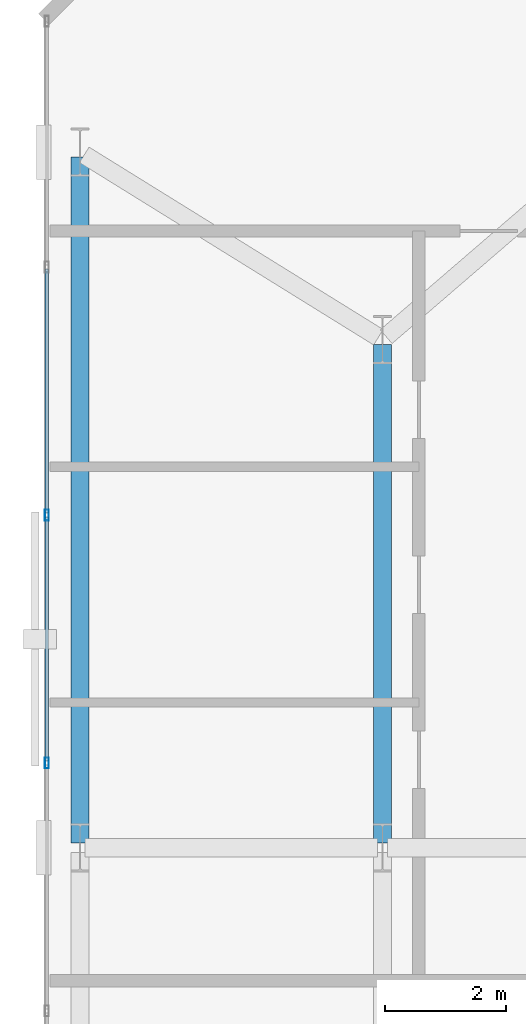
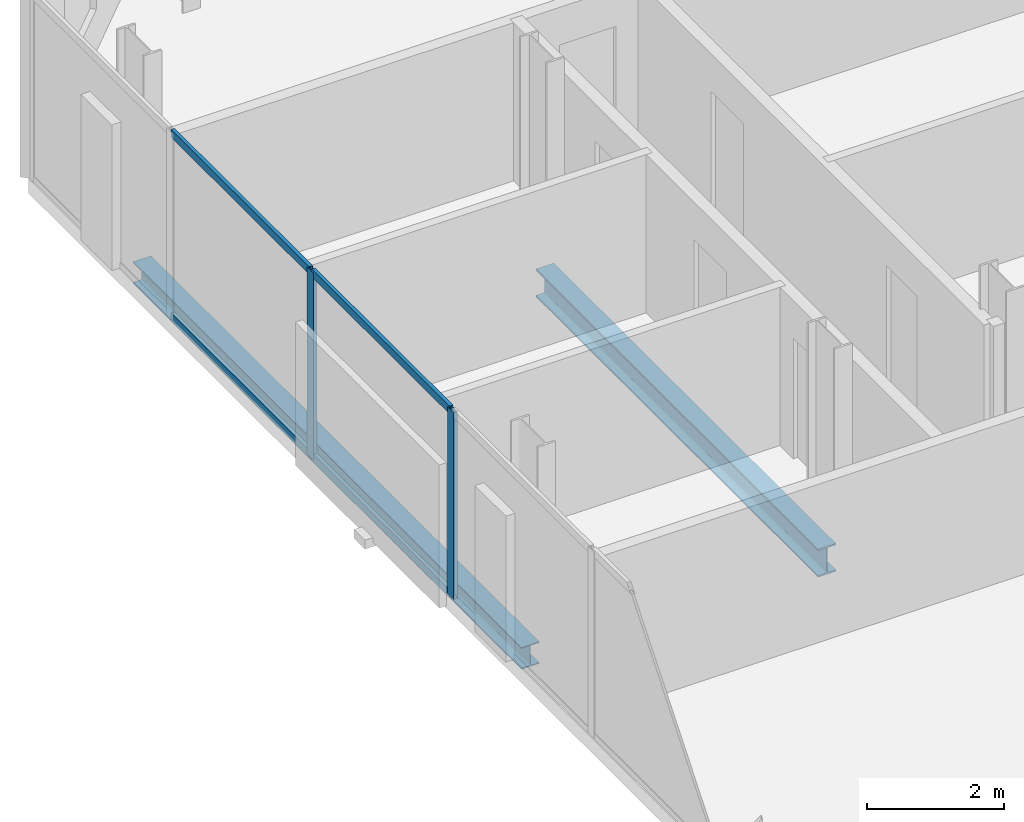
# One storey, part 17 of 32: 6 members, 2 beams, 1 element without a shape of its own.
"""IFC4 building model written with IfcOpenShell, lengths in metres."""

from ifc_helpers import new_model, si_unit, direction, frame, origin, origin_2d, place, context, subcontext, project, spatial, hollow_rectangle, i_section, extrude, material, layer, layer_set, material_profile, profile_set, type_object, element, aggregate, save


model = new_model("IFC4")

# Units and contexts
model_context = context("Model", 3, precision=1e-05, world=origin(), true_north=direction((0.0, 1.0)))
body_context = subcontext(model_context, "Body", "Model", "MODEL_VIEW")
ifc_project = project(units=[si_unit("LENGTHUNIT", "METRE"), si_unit("AREAUNIT", "SQUARE_METRE"), si_unit("VOLUMEUNIT", "CUBIC_METRE"), si_unit("PLANEANGLEUNIT", "RADIAN"), si_unit("MASSUNIT", "GRAM", prefix="KILO")], contexts=[model_context])

# Site, building, storey
site_placement = place(None, origin())
site = spatial("IfcSite", under=ifc_project, at=site_placement, CompositionType="ELEMENT")
building_placement = place(site_placement, origin())
building = spatial("IfcBuilding", under=site, at=building_placement, Name="Catumbela Crestline Tower", CompositionType="ELEMENT")
storey_placement = place(building_placement, frame((0.0, 0.0, 61.8)))
storey = spatial("IfcBuildingStorey", under=building, at=storey_placement, Name="L15", CompositionType="ELEMENT", Elevation=61.8)

# Beam
ifc_material_1 = material(Name="Structural steel S355J2", Category="steel")
ifc_material_profile_1 = material_profile(ifc_material_1, i_section(OverallWidth=0.3, OverallDepth=0.5, WebThickness=0.0145, FlangeThickness=0.028, FilletRadius=0.027, at=origin_2d()), Name="HEB 500")
ifc_profile_set_1 = profile_set([ifc_material_profile_1], Name="Structural steel S355J2")
beam_type_1 = type_object("IfcBeamType", Name="BG-HEB500", PredefinedType="BEAM", material=ifc_profile_set_1)
beam_1_placement = place(storey_placement, frame((5.6, 30.88, -0.51), z_axis=(0.0, 1.0, 0.0), x_axis=(-1.0, 0.0, 0.0)))
element("IfcBeam", 1, at=beam_1_placement, inside=storey, type_object=beam_type_1, Name="L15 Beam BM-L15-SN28", PredefinedType="BEAM", context=body_context, shape_type="SweptSolid", body=[
    extrude(i_section(OverallWidth=0.3, OverallDepth=0.5, WebThickness=0.0145, FlangeThickness=0.028, FilletRadius=0.027, at=origin_2d()), origin(), (0.0, 0.0, 1.0), 8.24),
])

# Curtain wall, members
ifc_material_2 = material(Name="Aluminium alloy AW-6060-T66", Category="aluminium")
ifc_layer = layer(ifc_material_2, 0.18, Name="Aluminium alloy AW-6060-T66")
ifc_layer_set = layer_set([ifc_layer], Name="Aluminium alloy AW-6060-T66")
curtain_wall_type = type_object("IfcCurtainWallType", Name="CWU-Z1", PredefinedType="USERDEFINED", material=ifc_layer_set)
curtain_wall_placement = place(storey_placement, origin())
curtain_wall = element("IfcCurtainWall", 2, at=curtain_wall_placement, inside=storey, type_object=curtain_wall_type, Name="L15 Unitised Curtain Wall CW-L15-E9S1", ObjectType="UNITISED", PredefinedType="USERDEFINED")
ifc_material_profile_2 = material_profile(ifc_material_2, hollow_rectangle(XDim=0.065, YDim=0.18, WallThickness=0.004, at=origin_2d()), Name="ALU 180x65x4")
ifc_profile_set_2 = profile_set([ifc_material_profile_2], Name="Aluminium alloy AW-6060-T66")
member_type_1 = type_object("IfcMemberType", Name="MUL-180X65", PredefinedType="MULLION", material=ifc_profile_set_2)
member_1_placement = place(storey_placement, frame((0.05, 36.3, 0.0), z_axis=(0.0, 0.0, 1.0), x_axis=(1.0, 0.0, 0.0)))
member_1 = element("IfcMember", 3, at=member_1_placement, type_object=member_type_1, Name="CWU-Z1 mullion 3", PredefinedType="MULLION", context=body_context, shape_type="SweptSolid", body=[
    extrude(hollow_rectangle(XDim=0.065, YDim=0.18, WallThickness=0.004, at=origin_2d()), origin(), (0.0, 0.0, 1.0), 3.33),
])
member_2_placement = place(storey_placement, frame((0.05, 32.2, 0.0), z_axis=(0.0, 0.0, 1.0), x_axis=(1.0, 0.0, 0.0)))
member_2 = element("IfcMember", 4, at=member_2_placement, type_object=member_type_1, Name="CWU-Z1 mullion 4", PredefinedType="MULLION", context=body_context, shape_type="SweptSolid", body=[
    extrude(hollow_rectangle(XDim=0.065, YDim=0.18, WallThickness=0.004, at=origin_2d()), origin(), (0.0, 0.0, 1.0), 3.33),
])

# Beam
ifc_material_profile_3 = material_profile(ifc_material_1, i_section(OverallWidth=0.3, OverallDepth=0.39, WebThickness=0.011, FlangeThickness=0.019, FilletRadius=0.027, at=origin_2d()), Name="HEA 400")
ifc_profile_set_3 = profile_set([ifc_material_profile_3], Name="Structural steel S355J2")
beam_type_2 = type_object("IfcBeamType", Name="BS-HEA400", PredefinedType="SPANDREL", material=ifc_profile_set_3)
beam_2_placement = place(storey_placement, frame((0.6, 30.88, -0.455), z_axis=(0.0, 1.0, 0.0), x_axis=(-1.0, 0.0, 0.0)))
element("IfcBeam", 5, at=beam_2_placement, inside=storey, type_object=beam_type_2, Name="L15 Spandrel SP-L15-SN26", PredefinedType="SPANDREL", context=body_context, shape_type="SweptSolid", body=[
    extrude(i_section(OverallWidth=0.3, OverallDepth=0.39, WebThickness=0.011, FlangeThickness=0.019, FilletRadius=0.027, at=origin_2d()), origin(), (0.0, 0.0, 1.0), 11.34),
])

# Member
ifc_material_profile_4 = material_profile(ifc_material_2, hollow_rectangle(XDim=0.06, YDim=0.14, WallThickness=0.004, at=origin_2d()), Name="ALU 140x60x4")
ifc_profile_set_4 = profile_set([ifc_material_profile_4], Name="Aluminium alloy AW-6060-T66")
member_type_2 = type_object("IfcMemberType", Name="TRN-140X60", PredefinedType="USERDEFINED", material=ifc_profile_set_4)
member_3_placement = place(storey_placement, frame((0.05, 40.3675, 0.03), z_axis=(0.0, -1.0, 0.0), x_axis=(1.0, 0.0, 0.0)))
member_3 = element("IfcMember", 6, at=member_3_placement, type_object=member_type_2, Name="CWU-Z1 transom 2.1", ObjectType="TRANSOM", PredefinedType="USERDEFINED", context=body_context, shape_type="SweptSolid", body=[
    extrude(hollow_rectangle(XDim=0.06, YDim=0.14, WallThickness=0.004, at=origin_2d()), origin(), (0.0, 0.0, 1.0), 4.035),
])

member_4_placement = place(storey_placement, frame((0.05, 40.3675, 3.3), z_axis=(0.0, -1.0, 0.0), x_axis=(1.0, 0.0, 0.0)))
member_4 = element("IfcMember", 7, at=member_4_placement, type_object=member_type_2, Name="CWU-Z1 transom 2.2", ObjectType="TRANSOM", PredefinedType="USERDEFINED", context=body_context, shape_type="SweptSolid", body=[
    extrude(hollow_rectangle(XDim=0.06, YDim=0.14, WallThickness=0.004, at=origin_2d()), origin(), (0.0, 0.0, 1.0), 4.035),
])

member_5_placement = place(storey_placement, frame((0.05, 36.2675, 0.03), z_axis=(0.0, -1.0, 0.0), x_axis=(1.0, 0.0, 0.0)))
member_5 = element("IfcMember", 8, at=member_5_placement, type_object=member_type_2, Name="CWU-Z1 transom 3.1", ObjectType="TRANSOM", PredefinedType="USERDEFINED", context=body_context, shape_type="SweptSolid", body=[
    extrude(hollow_rectangle(XDim=0.06, YDim=0.14, WallThickness=0.004, at=origin_2d()), origin(), (0.0, 0.0, 1.0), 4.035),
])

member_6_placement = place(storey_placement, frame((0.05, 36.2675, 3.3), z_axis=(0.0, -1.0, 0.0), x_axis=(1.0, 0.0, 0.0)))
member_6 = element("IfcMember", 9, at=member_6_placement, type_object=member_type_2, Name="CWU-Z1 transom 3.2", ObjectType="TRANSOM", PredefinedType="USERDEFINED", context=body_context, shape_type="SweptSolid", body=[
    extrude(hollow_rectangle(XDim=0.06, YDim=0.14, WallThickness=0.004, at=origin_2d()), origin(), (0.0, 0.0, 1.0), 4.035),
])

aggregate(curtain_wall, [member_1, member_2, member_3, member_4, member_5, member_6])

save(model, "model.ifc")
